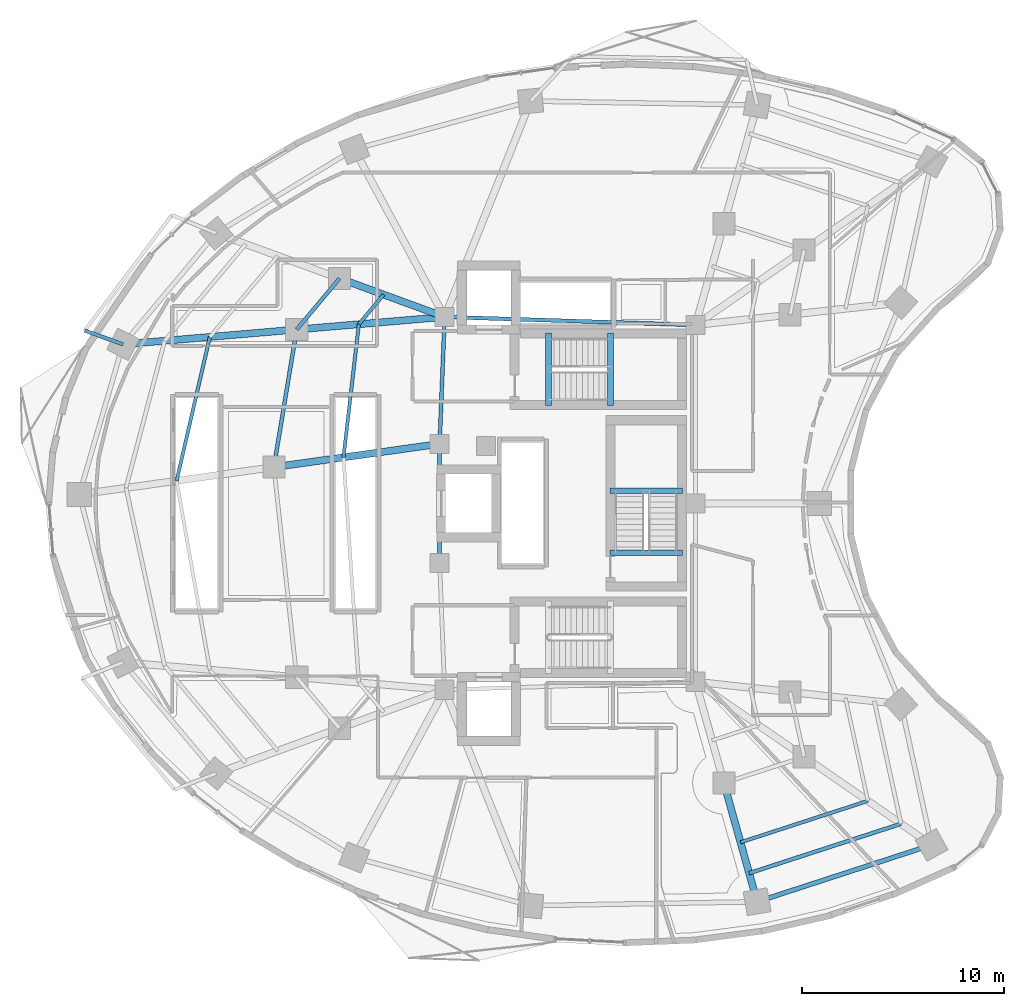
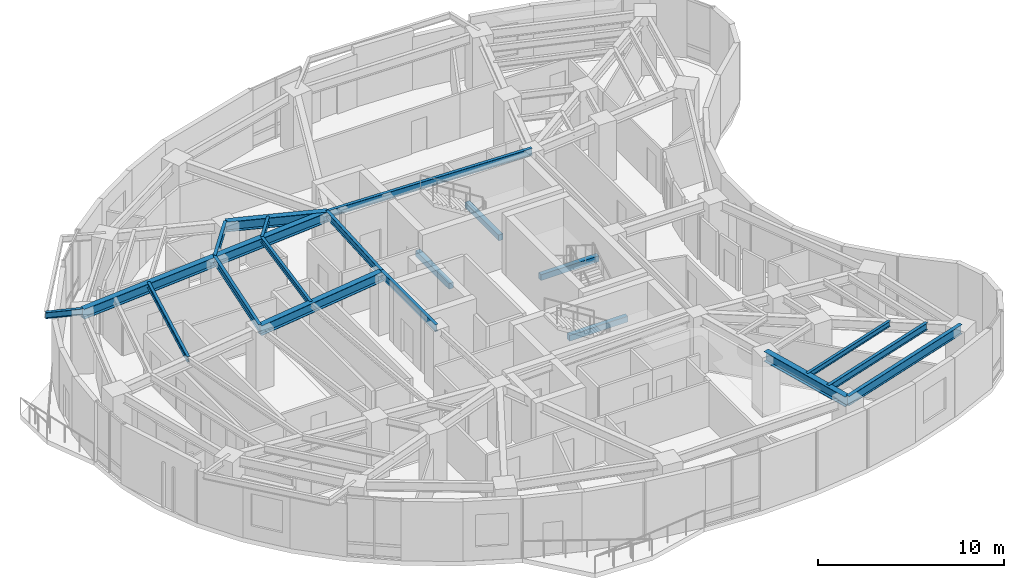
# One storey, part 3 of 15: 21 beams.
"""IFC4 building model written with IfcOpenShell, lengths in metres."""

from ifc_helpers import new_model, si_unit, direction, frame, origin, origin_2d, place, context, subcontext, project, spatial, rectangle, i_section, extrude, material, material_profile, profile_set, type_object, element, save


model = new_model("IFC4")

# Units and contexts
model_context = context("Model", 3, precision=1e-05, world=origin(), true_north=direction((0.0, 1.0)))
body_context = subcontext(model_context, "Body", "Model", "MODEL_VIEW")
ifc_project = project(units=[si_unit("LENGTHUNIT", "METRE"), si_unit("AREAUNIT", "SQUARE_METRE"), si_unit("VOLUMEUNIT", "CUBIC_METRE"), si_unit("PLANEANGLEUNIT", "RADIAN"), si_unit("MASSUNIT", "GRAM", prefix="KILO")], contexts=[model_context])

# Site, building, storey
site_placement = place(None, origin())
site = spatial("IfcSite", under=ifc_project, at=site_placement, CompositionType="ELEMENT")
building_placement = place(site_placement, origin())
building = spatial("IfcBuilding", under=site, at=building_placement, Name="Korentha Bioscience Tower", CompositionType="ELEMENT")
storey_placement = place(building_placement, frame((0.0, 0.0, 111.0)))
storey = spatial("IfcBuildingStorey", under=building, at=storey_placement, Name="L25", CompositionType="ELEMENT", Elevation=111.0)

# Beams
ifc_material_1 = material(Name="Concrete C50", Category="concrete")
ifc_material_profile_1 = material_profile(ifc_material_1, rectangle(XDim=0.280029296875, YDim=0.3798828125, at=origin_2d()), Name="Concrete C50")
ifc_profile_set_1 = profile_set([ifc_material_profile_1], Name="Concrete C50 (ST-HB380)")
beam_type_1 = type_object("IfcBeamType", Name="Concrete Stair Header Beam RC 280x380", PredefinedType="BEAM", material=ifc_profile_set_1)
for number, where, z_axis, x_axis, name in (
    (1, (30.25, 31.85009765625, -0.18994140625), (0.0, 1.0, 0.0), (-1.0, 0.0, 0.0), "L25 ST-1 Concrete Stair Header Beam"),
    (2, (33.330078125, 31.85009765625, 1.909912109375), (0.0, 1.0, 0.0), (-1.0, 0.0, 0.0), "L25 ST-1 Half-Landing Header Beam 1"),
    (3, (36.89990234375, 24.550048828125, -0.18994140625), (-1.0, 0.0, 0.0), (0.0, -1.0, 0.0), "L25 ST-3 Concrete Stair Header Beam"),
    (4, (36.89990234375, 27.6298828125, 1.909912109375), (-1.0, 0.0, 0.0), (0.0, -1.0, 0.0), "L25 ST-3 Half-Landing Header Beam 1"),
):
    element("IfcBeam", number, at=place(storey_placement, frame(where, z_axis=z_axis, x_axis=x_axis)), inside=storey, type_object=beam_type_1, Name=name, PredefinedType="BEAM", context=body_context, shape_type="SweptSolid", body=[
        extrude(rectangle(XDim=0.280029296875, YDim=0.3798828125, at=origin_2d()), origin(), (0.0, 0.0, 1.0), 3.599853515625),
    ])
ifc_material_2 = material(Name="Steel S355", Category="steel")
ifc_material_profile_2 = material_profile(ifc_material_2, i_section(OverallWidth=0.18994140625, OverallDepth=0.45703125, WebThickness=0.009033203125, FlangeThickness=0.014404296875, at=origin_2d()), Name="Steel S355")
ifc_profile_set_2 = profile_set([ifc_material_profile_2], Name="Steel S355 (MB-460)")
beam_type_2 = type_object("IfcBeamType", Name="Mid-Ring Tie Girder W460x74", PredefinedType="BEAM", material=ifc_profile_set_2)
beam_1_placement = place(storey_placement, frame((19.882568359375, 38.158935546875, 3.67138671875), z_axis=(-0.642121371708, -0.766602989817, 0.0), x_axis=(0.766602989817, -0.642121371708, 0.0)))
element("IfcBeam", 5, at=beam_1_placement, inside=storey, type_object=beam_type_2, Name="L25 Mid-Ring Tie Girder 05", PredefinedType="BEAM", context=body_context, shape_type="SweptSolid", body=[
    extrude(i_section(OverallWidth=0.18994140625, OverallDepth=0.45703125, WebThickness=0.009033203125, FlangeThickness=0.014404296875, at=origin_2d()), origin(), (0.0, 0.0, 1.0), 3.306640625),
])
beam_2_placement = place(storey_placement, frame((17.75927734375, 35.6240234375, 3.67138671875), z_axis=(-0.163580878592, -0.986529926641, 0.0), x_axis=(0.986529926641, -0.163580878592, 0.0)))
element("IfcBeam", 6, at=beam_2_placement, inside=storey, type_object=beam_type_2, Name="L25 Mid-Ring Tie Girder 06", PredefinedType="BEAM", context=body_context, shape_type="SweptSolid", body=[
    extrude(i_section(OverallWidth=0.18994140625, OverallDepth=0.45703125, WebThickness=0.009033203125, FlangeThickness=0.014404296875, at=origin_2d()), origin(), (0.0, 0.0, 1.0), 6.920654296875),
])
beam_3_placement = place(storey_placement, frame((37.550048828125, 35.85009765625, 3.67138671875), z_axis=(-0.999484526071, 0.032104238723, 0.0), x_axis=(-0.032104238723, -0.999484526071, 0.0)))
element("IfcBeam", 7, at=beam_3_placement, inside=storey, type_object=beam_type_2, Name="L25 Core Ring Tie Girder 01", PredefinedType="BEAM", context=body_context, shape_type="SweptSolid", body=[
    extrude(i_section(OverallWidth=0.18994140625, OverallDepth=0.45703125, WebThickness=0.009033203125, FlangeThickness=0.014404296875, at=origin_2d()), origin(), (0.0, 0.0, 1.0), 12.456298828125),
])
beam_4_placement = place(storey_placement, frame((25.10009765625, 36.25, 3.67138671875), z_axis=(-0.039651025576, -0.999213588864, 0.0), x_axis=(0.999213588864, -0.039651025576, 0.0)))
element("IfcBeam", 8, at=beam_4_placement, inside=storey, type_object=beam_type_2, Name="L25 Core Ring Tie Girder 02", PredefinedType="BEAM", context=body_context, shape_type="SweptSolid", body=[
    extrude(i_section(OverallWidth=0.18994140625, OverallDepth=0.45703125, WebThickness=0.009033203125, FlangeThickness=0.014404296875, at=origin_2d()), origin(), (0.0, 0.0, 1.0), 6.304931640625),
])
beam_5_placement = place(storey_placement, frame((24.85009765625, 29.949951171875, 3.67138671875), z_axis=(0.0, -1.0, 0.0), x_axis=(1.0, 0.0, 0.0)))
element("IfcBeam", 9, at=beam_5_placement, inside=storey, type_object=beam_type_2, Name="L25 Core Ring Tie Girder 03", PredefinedType="BEAM", context=body_context, shape_type="SweptSolid", body=[
    extrude(i_section(OverallWidth=0.18994140625, OverallDepth=0.45703125, WebThickness=0.009033203125, FlangeThickness=0.014404296875, at=origin_2d()), origin(), (0.0, 0.0, 1.0), 5.89990234375),
])
ifc_material_profile_3 = material_profile(ifc_material_2, i_section(OverallWidth=0.22802734375, OverallDepth=0.60791015625, WebThickness=0.01123046875, FlangeThickness=0.017333984375, at=origin_2d()), Name="Steel S355")
ifc_profile_set_3 = profile_set([ifc_material_profile_3], Name="Steel S355 (SB-610)")
beam_type_3 = type_object("IfcBeamType", Name="Perimeter Ring Spandrel Girder W610x113", PredefinedType="SPANDREL", material=ifc_profile_set_3)
beam_6_placement = place(storey_placement, frame((40.604248046875, 7.235107421875, 3.595947265625), z_axis=(0.950867758759, 0.309597327755, 0.0), x_axis=(-0.309597327755, 0.950867758759, 0.0)))
element("IfcBeam", 10, at=beam_6_placement, inside=storey, type_object=beam_type_3, Name="L25 Perimeter Spandrel Girder 12", PredefinedType="SPANDREL", context=body_context, shape_type="SweptSolid", body=[
    extrude(i_section(OverallWidth=0.22802734375, OverallDepth=0.60791015625, WebThickness=0.01123046875, FlangeThickness=0.017333984375, at=origin_2d()), origin(), (0.0, 0.0, 1.0), 9.101806640625),
])
ifc_material_profile_4 = material_profile(ifc_material_2, i_section(OverallWidth=0.18994140625, OverallDepth=0.45703125, WebThickness=0.009033203125, FlangeThickness=0.014404296875, at=origin_2d()), Name="Steel S355")
ifc_profile_set_4 = profile_set([ifc_material_profile_4], Name="Steel S355 (RB-460)")
beam_type_4 = type_object("IfcBeamType", Name="Radial Laboratory Beam W460x74", PredefinedType="BEAM", material=ifc_profile_set_4)
beam_7_placement = place(storey_placement, frame((40.20849609375, 8.64990234375, 3.67138671875), z_axis=(0.950866789802, 0.3096003037, 0.0), x_axis=(-0.3096003037, 0.950866789802, 0.0)))
element("IfcBeam", 11, at=beam_7_placement, inside=storey, type_object=beam_type_4, Name="L25 Secondary Floor Beam JSTO-12", PredefinedType="BEAM", context=body_context, shape_type="SweptSolid", body=[
    extrude(i_section(OverallWidth=0.18994140625, OverallDepth=0.45703125, WebThickness=0.009033203125, FlangeThickness=0.014404296875, at=origin_2d()), origin(), (0.0, 0.0, 1.0), 7.921875),
])
ifc_material_profile_5 = material_profile(ifc_material_2, i_section(OverallWidth=0.35009765625, OverallDepth=0.64990234375, WebThickness=0.01611328125, FlangeThickness=0.02490234375, at=origin_2d()), Name="Steel S355")
ifc_profile_set_5 = profile_set([ifc_material_profile_5], Name="Steel S355 (RB-650)")
beam_type_5 = type_object("IfcBeamType", Name="Radial Laboratory Girder CVS 650x208", PredefinedType="BEAM", material=ifc_profile_set_5)
beam_8_placement = place(storey_placement, frame((25.10009765625, 36.25, 3.574951171875), z_axis=(-0.939118010396, 0.343594765022, 0.0), x_axis=(-0.343594765022, -0.939118010396, 0.0)))
element("IfcBeam", 12, at=beam_8_placement, inside=storey, type_object=beam_type_5, Name="L25 Inner Radial Girder 05", PredefinedType="BEAM", context=body_context, shape_type="SweptSolid", body=[
    extrude(i_section(OverallWidth=0.35009765625, OverallDepth=0.64990234375, WebThickness=0.01611328125, FlangeThickness=0.02490234375, at=origin_2d()), origin(), (0.0, 0.0, 1.0), 5.5556640625),
])
beam_9_placement = place(storey_placement, frame((25.10009765625, 36.25, 3.574951171875), z_axis=(-0.996383934197, -0.084965026183, 0.0), x_axis=(0.084965026183, -0.996383934197, 0.0)))
element("IfcBeam", 13, at=beam_9_placement, inside=storey, type_object=beam_type_5, Name="L25 Inner Radial Girder 06", PredefinedType="BEAM", context=body_context, shape_type="SweptSolid", body=[
    extrude(i_section(OverallWidth=0.35009765625, OverallDepth=0.64990234375, WebThickness=0.01611328125, FlangeThickness=0.02490234375, at=origin_2d()), origin(), (0.0, 0.0, 1.0), 7.367431640625),
])
beam_10_placement = place(storey_placement, frame((17.75927734375, 35.6240234375, 3.574951171875), z_axis=(-0.996386071548, -0.084939957767, 0.0), x_axis=(0.084939957767, -0.996386071548, 0.0)))
element("IfcBeam", 14, at=beam_10_placement, inside=storey, type_object=beam_type_5, Name="L25 Outer Radial Girder 06", PredefinedType="BEAM", context=body_context, shape_type="SweptSolid", body=[
    extrude(i_section(OverallWidth=0.35009765625, OverallDepth=0.64990234375, WebThickness=0.01611328125, FlangeThickness=0.02490234375, at=origin_2d()), origin(), (0.0, 0.0, 1.0), 8.648681640625),
])
beam_11_placement = place(storey_placement, frame((24.85009765625, 29.949951171875, 3.574951171875), z_axis=(-0.990306752817, -0.13889757134, 0.0), x_axis=(0.13889757134, -0.990306752817, 0.0)))
element("IfcBeam", 15, at=beam_11_placement, inside=storey, type_object=beam_type_5, Name="L25 Inner Radial Girder 07", PredefinedType="BEAM", context=body_context, shape_type="SweptSolid", body=[
    extrude(i_section(OverallWidth=0.35009765625, OverallDepth=0.64990234375, WebThickness=0.01611328125, FlangeThickness=0.02490234375, at=origin_2d()), origin(), (0.0, 0.0, 1.0), 8.303466796875),
])
beam_12_placement = place(storey_placement, frame((38.954833984375, 13.129150390625, 3.574951171875), z_axis=(0.269490843458, -0.963002951861, 0.0), x_axis=(0.963002951861, 0.269490843458, 0.0)))
element("IfcBeam", 16, at=beam_12_placement, inside=storey, type_object=beam_type_5, Name="L25 Outer Radial Girder 12", PredefinedType="BEAM", context=body_context, shape_type="SweptSolid", body=[
    extrude(i_section(OverallWidth=0.35009765625, OverallDepth=0.64990234375, WebThickness=0.01611328125, FlangeThickness=0.02490234375, at=origin_2d()), origin(), (0.0, 0.0, 1.0), 6.120361328125),
])
ifc_material_profile_6 = material_profile(ifc_material_2, i_section(OverallWidth=0.1708984375, OverallDepth=0.35498046875, WebThickness=0.007080078125, FlangeThickness=0.01171875, at=origin_2d()), Name="Steel S355")
ifc_profile_set_6 = profile_set([ifc_material_profile_6], Name="Steel S355 (JB-360)")
beam_type_6 = type_object("IfcBeamType", Name="Secondary Laboratory Joist W360x51", PredefinedType="JOIST", material=ifc_profile_set_6)
beam_13_placement = place(storey_placement, frame((22.073974609375, 37.357177734375, 3.722412109375), z_axis=(-0.64218549873, -0.766549271229, 0.0), x_axis=(0.766549271229, -0.64218549873, 0.0)))
element("IfcBeam", 17, at=beam_13_placement, inside=storey, type_object=beam_type_6, Name="L25 Inner Bay Joist 05", PredefinedType="JOIST", context=body_context, shape_type="SweptSolid", body=[
    extrude(i_section(OverallWidth=0.1708984375, OverallDepth=0.35498046875, WebThickness=0.007080078125, FlangeThickness=0.01171875, at=origin_2d()), origin(), (0.0, 0.0, 1.0), 1.91796875),
])
beam_14_placement = place(storey_placement, frame((13.450439453125, 35.256591796875, 3.722412109375), z_axis=(-0.225236780605, -0.974304055551, 0.0), x_axis=(0.974304055551, -0.225236780605, 0.0)))
element("IfcBeam", 18, at=beam_14_placement, inside=storey, type_object=beam_type_6, Name="L25 Secondary Floor Beam JST-06", PredefinedType="JOIST", context=body_context, shape_type="SweptSolid", body=[
    extrude(i_section(OverallWidth=0.1708984375, OverallDepth=0.35498046875, WebThickness=0.007080078125, FlangeThickness=0.01171875, at=origin_2d()), origin(), (0.0, 0.0, 1.0), 7.3251953125),
])
beam_15_placement = place(storey_placement, frame((20.84228515625, 35.886962890625, 3.722412109375), z_axis=(-0.114512623722, -0.993421793101, 0.0), x_axis=(0.993421793101, -0.114512623722, 0.0)))
element("IfcBeam", 19, at=beam_15_placement, inside=storey, type_object=beam_type_6, Name="L25 Inner Bay Joist 06", PredefinedType="JOIST", context=body_context, shape_type="SweptSolid", body=[
    extrude(i_section(OverallWidth=0.1708984375, OverallDepth=0.35498046875, WebThickness=0.007080078125, FlangeThickness=0.01171875, at=origin_2d()), origin(), (0.0, 0.0, 1.0), 6.649658203125),
])
beam_16_placement = place(storey_placement, frame((39.779541015625, 10.18212890625, 3.722412109375), z_axis=(0.950864890997, 0.309606135387, 0.0), x_axis=(-0.309606135387, 0.950864890997, 0.0)))
element("IfcBeam", 20, at=beam_16_placement, inside=storey, type_object=beam_type_6, Name="L25 Secondary Floor Beam JST-12", PredefinedType="JOIST", context=body_context, shape_type="SweptSolid", body=[
    extrude(i_section(OverallWidth=0.1708984375, OverallDepth=0.35498046875, WebThickness=0.007080078125, FlangeThickness=0.01171875, at=origin_2d()), origin(), (0.0, 0.0, 1.0), 6.644287109375),
])
ifc_material_profile_7 = material_profile(ifc_material_2, i_section(OverallWidth=0.177978515625, OverallDepth=0.406982421875, WebThickness=0.0078125, FlangeThickness=0.0126953125, at=origin_2d()), Name="Steel S355")
ifc_profile_set_7 = profile_set([ifc_material_profile_7], Name="Steel S355 (CB-410)")
beam_type_7 = type_object("IfcBeamType", Name="Sun-Ledge Cantilever Beam W410x60", PredefinedType="BEAM", material=ifc_profile_set_7)
beam_17_placement = place(storey_placement, frame((9.141845703125, 34.889404296875, 3.698486328125), z_axis=(-0.940653882129, 0.339367461662, 0.0), x_axis=(-0.339367461662, -0.940653882129, 0.0)))
element("IfcBeam", 21, at=beam_17_placement, inside=storey, type_object=beam_type_7, Name="L25 Balcony Cantilever Bracket B-L26-02", PredefinedType="BEAM", context=body_context, shape_type="SweptSolid", body=[
    extrude(i_section(OverallWidth=0.177978515625, OverallDepth=0.406982421875, WebThickness=0.0078125, FlangeThickness=0.0126953125, at=origin_2d()), origin(), (0.0, 0.0, 1.0), 2.014404296875),
])

save(model, "model.ifc")
